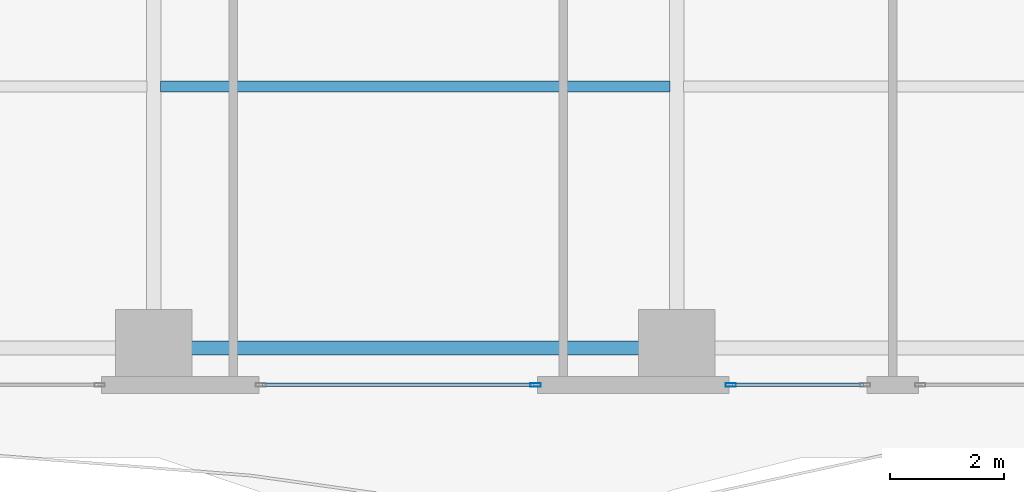
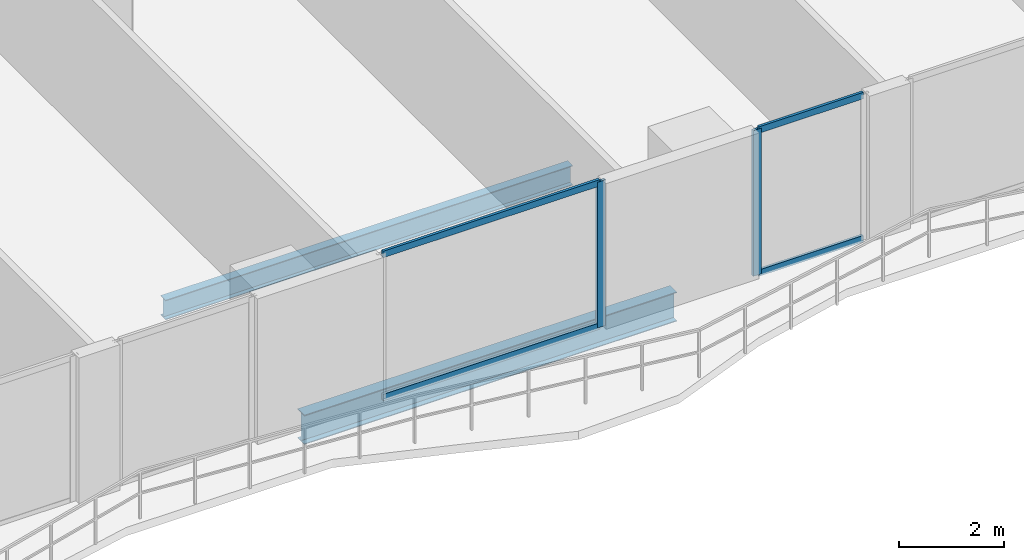
# One storey, part 5 of 29: 6 members, 2 beams, 2 elements without a shape of their own.
"""IFC4 building model written with IfcOpenShell, lengths in metres."""

from ifc_helpers import new_model, si_unit, direction, frame, origin, origin_2d, place, context, subcontext, project, spatial, hollow_rectangle, i_section, extrude, material, layer, layer_set, material_profile, profile_set, type_object, element, aggregate, save


model = new_model("IFC4")

# Units and contexts
model_context = context("Model", 3, precision=1e-05, world=origin(), true_north=direction((0.0, 1.0)))
body_context = subcontext(model_context, "Body", "Model", "MODEL_VIEW")
ifc_project = project(units=[si_unit("LENGTHUNIT", "METRE"), si_unit("AREAUNIT", "SQUARE_METRE"), si_unit("VOLUMEUNIT", "CUBIC_METRE"), si_unit("PLANEANGLEUNIT", "RADIAN"), si_unit("MASSUNIT", "GRAM", prefix="KILO")], contexts=[model_context])

# Site, building, storey
site_placement = place(None, origin())
site = spatial("IfcSite", under=ifc_project, at=site_placement, CompositionType="ELEMENT")
building_placement = place(site_placement, origin())
building = spatial("IfcBuilding", under=site, at=building_placement, Name="Zuhayl Quay Hotel", CompositionType="ELEMENT")
storey_placement = place(building_placement, frame((0.0, 0.0, 158.550048828125)))
storey = spatial("IfcBuildingStorey", under=building, at=storey_placement, Name="L40", CompositionType="ELEMENT", Elevation=158.550048828125)

# Beams
ifc_material_1 = material(Name="Steel ASTM A992 Grade 50", Category="steel")
ifc_material_profile_1 = material_profile(ifc_material_1, i_section(OverallWidth=0.25390625, OverallDepth=0.68310546875, WebThickness=0.012451171875, FlangeThickness=0.018798828125, at=origin_2d()), Name="W27X94")
ifc_profile_set_1 = profile_set([ifc_material_profile_1], Name="Steel ASTM A992 Grade 50")
beam_type_1 = type_object("IfcBeamType", Name="BM_B2_W27X94", PredefinedType="BEAM", material=ifc_profile_set_1)
beam_1_placement = place(storey_placement, frame((-4.10009765625, -14.75, -0.5615234375), z_axis=(1.0, 0.0, 0.0), x_axis=(0.0, 1.0, 0.0)))
element("IfcBeam", 1, at=beam_1_placement, inside=storey, type_object=beam_type_1, Name="L40 Floor Beam RG_L40_02", PredefinedType="BEAM", context=body_context, shape_type="SweptSolid", body=[
    extrude(i_section(OverallWidth=0.25390625, OverallDepth=0.68310546875, WebThickness=0.012451171875, FlangeThickness=0.018798828125, at=origin_2d()), origin(), (0.0, 0.0, 1.0), 8.2001953125),
])
ifc_material_profile_2 = material_profile(ifc_material_1, i_section(OverallWidth=0.18994140625, OverallDepth=0.45703125, WebThickness=0.009033203125, FlangeThickness=0.014404296875, at=origin_2d()), Name="W18X50")
ifc_profile_set_2 = profile_set([ifc_material_profile_2], Name="Steel ASTM A992 Grade 50")
beam_type_2 = type_object("IfcBeamType", Name="BM_J2_W18X50", PredefinedType="JOIST", material=ifc_profile_set_2)
beam_2_placement = place(storey_placement, frame((-4.48095703125, -10.14990234375, -0.448486328125), z_axis=(1.0, 0.0, 0.0), x_axis=(0.0, 1.0, 0.0)))
element("IfcBeam", 2, at=beam_2_placement, inside=storey, type_object=beam_type_2, Name="L40 Floor Beam FJ_L40_5_2", PredefinedType="JOIST", context=body_context, shape_type="SweptSolid", body=[
    extrude(i_section(OverallWidth=0.18994140625, OverallDepth=0.45703125, WebThickness=0.009033203125, FlangeThickness=0.014404296875, at=origin_2d()), origin(), (0.0, 0.0, 1.0), 8.9619140625),
])

# Curtain wall, member
ifc_material_2 = material(Name="Anodised Aluminium 6063-T6", Category="aluminium")
ifc_layer = layer(ifc_material_2, 0.179931640625, Name="Anodised Aluminium 6063-T6", Category="aluminium")
ifc_layer_set = layer_set([ifc_layer], Name="Anodised Aluminium 6063-T6")
curtain_wall_type = type_object("IfcCurtainWallType", Name="CW_SYS_Z2", PredefinedType="USERDEFINED", material=ifc_layer_set)
curtain_wall_1_placement = place(storey_placement, origin())
curtain_wall_1 = element("IfcCurtainWall", 3, at=curtain_wall_1_placement, inside=storey, type_object=curtain_wall_type, Name="L40 Curtain Wall ENV_L40_S_CW3", ObjectType="UNITISED CURTAIN WALL", PredefinedType="USERDEFINED")
ifc_material_3 = material(Name="Black-anodised aluminium 6063-T6", Category="aluminium")
ifc_material_profile_3 = material_profile(ifc_material_3, hollow_rectangle(XDim=0.06494140625, YDim=0.179931640625, WallThickness=0.00341796875, at=origin_2d()), Name="ALU180X65")
ifc_profile_set_3 = profile_set([ifc_material_profile_3], Name="Black-anodised aluminium 6063-T6")
member_type_1 = type_object("IfcMemberType", Name="MB_CW_MUL_180", PredefinedType="MULLION", material=ifc_profile_set_3)
member_1_placement = place(storey_placement, frame((5.552490234375, -15.39990234375, 0.0), z_axis=(0.0, 0.0, 1.0), x_axis=(0.0, -1.0, 0.0)))
member_1 = element("IfcMember", 4, at=member_1_placement, type_object=member_type_1, Name="CW-Z2 mullion 2", PredefinedType="MULLION", context=body_context, shape_type="SweptSolid", body=[
    extrude(hollow_rectangle(XDim=0.06494140625, YDim=0.179931640625, WallThickness=0.00341796875, at=origin_2d()), origin(), (0.0, 0.0, 1.0), 3.389892578125),
])

curtain_wall_2_placement = place(storey_placement, origin())
curtain_wall_2 = element("IfcCurtainWall", 5, at=curtain_wall_2_placement, inside=storey, type_object=curtain_wall_type, Name="L40 Curtain Wall ENV_L40_S_CW4", ObjectType="UNITISED CURTAIN WALL", PredefinedType="USERDEFINED")
member_2_placement = place(storey_placement, frame((2.117431640625, -15.39990234375, 0.0), z_axis=(0.0, 0.0, 1.0), x_axis=(0.0, -1.0, 0.0)))
member_2 = element("IfcMember", 6, at=member_2_placement, type_object=member_type_1, Name="CW-Z2 mullion 1", PredefinedType="MULLION", context=body_context, shape_type="SweptSolid", body=[
    extrude(hollow_rectangle(XDim=0.06494140625, YDim=0.179931640625, WallThickness=0.00341796875, at=origin_2d()), origin(), (0.0, 0.0, 1.0), 3.389892578125),
])

# Member
ifc_material_profile_4 = material_profile(ifc_material_3, hollow_rectangle(XDim=0.06005859375, YDim=0.14990234375, WallThickness=0.00341796875, at=origin_2d()), Name="ALU150X60")
ifc_profile_set_4 = profile_set([ifc_material_profile_4], Name="Black-anodised aluminium 6063-T6")
member_type_2 = type_object("IfcMemberType", Name="MB_CW_TRN_150", PredefinedType="USERDEFINED", material=ifc_profile_set_4)
member_3_placement = place(storey_placement, frame((7.885009765625, -15.39990234375, 0.030029296875), z_axis=(-1.0, 0.0, 0.0), x_axis=(0.0, -1.0, 0.0)))
member_3 = element("IfcMember", 7, at=member_3_placement, type_object=member_type_2, Name="CW-Z2 transom 1.1", ObjectType="TRANSOM", PredefinedType="USERDEFINED", context=body_context, shape_type="SweptSolid", body=[
    extrude(hollow_rectangle(XDim=0.06005859375, YDim=0.14990234375, WallThickness=0.00341796875, at=origin_2d()), origin(), (0.0, 0.0, 1.0), 2.300048828125),
])

member_4_placement = place(storey_placement, frame((7.885009765625, -15.39990234375, 3.35986328125), z_axis=(-1.0, 0.0, 0.0), x_axis=(0.0, -1.0, 0.0)))
member_4 = element("IfcMember", 8, at=member_4_placement, type_object=member_type_2, Name="CW-Z2 transom 1.2", ObjectType="TRANSOM", PredefinedType="USERDEFINED", context=body_context, shape_type="SweptSolid", body=[
    extrude(hollow_rectangle(XDim=0.06005859375, YDim=0.14990234375, WallThickness=0.00341796875, at=origin_2d()), origin(), (0.0, 0.0, 1.0), 2.300048828125),
])

aggregate(curtain_wall_1, [member_1, member_3, member_4])

member_5_placement = place(storey_placement, frame((2.0849609375, -15.39990234375, 0.030029296875), z_axis=(-1.0, 0.0, 0.0), x_axis=(0.0, -1.0, 0.0)))
member_5 = element("IfcMember", 9, at=member_5_placement, type_object=member_type_2, Name="CW-Z2 transom 1.1", ObjectType="TRANSOM", PredefinedType="USERDEFINED", context=body_context, shape_type="SweptSolid", body=[
    extrude(hollow_rectangle(XDim=0.06005859375, YDim=0.14990234375, WallThickness=0.00341796875, at=origin_2d()), origin(), (0.0, 0.0, 1.0), 4.77001953125),
])

member_6_placement = place(storey_placement, frame((2.0849609375, -15.39990234375, 3.35986328125), z_axis=(-1.0, 0.0, 0.0), x_axis=(0.0, -1.0, 0.0)))
member_6 = element("IfcMember", 10, at=member_6_placement, type_object=member_type_2, Name="CW-Z2 transom 1.2", ObjectType="TRANSOM", PredefinedType="USERDEFINED", context=body_context, shape_type="SweptSolid", body=[
    extrude(hollow_rectangle(XDim=0.06005859375, YDim=0.14990234375, WallThickness=0.00341796875, at=origin_2d()), origin(), (0.0, 0.0, 1.0), 4.77001953125),
])

aggregate(curtain_wall_2, [member_2, member_5, member_6])

save(model, "model.ifc")
